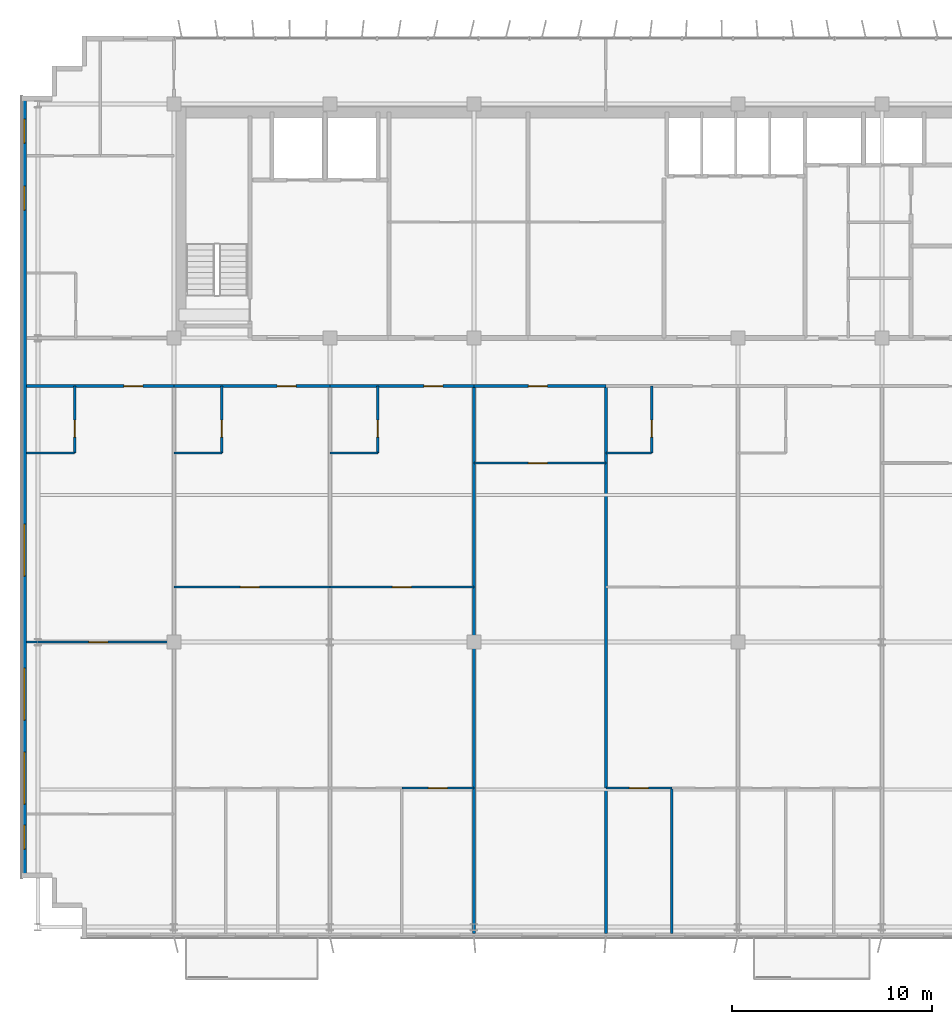
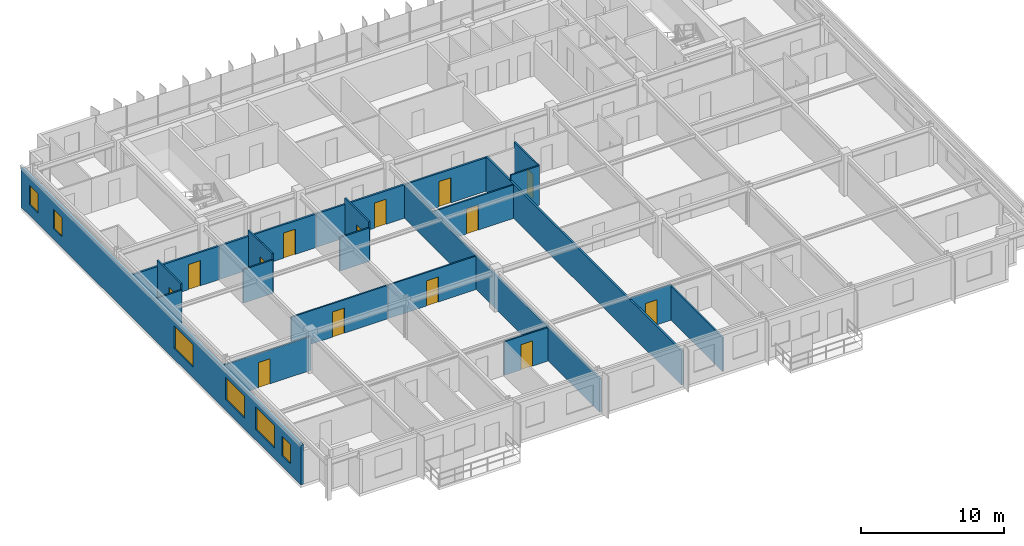
# One storey, part 17 of 23: 22 walls, 14 doors, 6 windows, 20 openings.
"""IFC4 building model written with IfcOpenShell, lengths in metres."""

from ifc_helpers import new_model, si_unit, direction, frame, frame_2d, origin, place, context, subcontext, project, spatial, rectangle, extrude, source, transform, mapped, material, layer, layer_set, type_object, element, fill, save


model = new_model("IFC4")

# Units and contexts
model_context = context("Model", 3, precision=1e-05, world=origin(), true_north=direction((0.0, 1.0)))
body_context = subcontext(model_context, "Body", "Model", "MODEL_VIEW")
ifc_project = project(units=[si_unit("LENGTHUNIT", "METRE"), si_unit("AREAUNIT", "SQUARE_METRE"), si_unit("VOLUMEUNIT", "CUBIC_METRE"), si_unit("PLANEANGLEUNIT", "RADIAN"), si_unit("MASSUNIT", "GRAM", prefix="KILO")], contexts=[model_context])

# Site, building, storey
site_placement = place(None, origin())
site = spatial("IfcSite", under=ifc_project, at=site_placement, CompositionType="ELEMENT")
building_placement = place(site_placement, origin())
building = spatial("IfcBuilding", under=site, at=building_placement, Name="Trelvane Seafront Commons", CompositionType="ELEMENT")
storey_placement = place(building_placement, frame((0.0, 0.0, 222.89990234375)))
storey = spatial("IfcBuildingStorey", under=building, at=storey_placement, Name="L58", CompositionType="ELEMENT", Elevation=222.89990234375)

# Wall, openings, windows
ifc_material_1 = material(Name="Precast concrete C40/50", Category="concrete")
ifc_layer_1 = layer(ifc_material_1, 0.239990234375, Name="ARCH-WALL-EXT240")
ifc_layer_set_1 = layer_set([ifc_layer_1], Name="Precast concrete C40/50")
wall_type_1 = type_object("IfcWallType", Name="ARCH-WALL-EXT240", PredefinedType="SOLIDWALL", material=ifc_layer_set_1)
wall_1_placement = place(storey_placement, frame((8.1201171875, 6.39990234375, 0.0), z_axis=(0.0, 0.0, 1.0), x_axis=(0.0, 1.0, 0.0)))
wall_1 = element("IfcWall", 1, at=wall_1_placement, inside=storey, type_object=wall_type_1, Name="EW-L58-01167", PredefinedType="SOLIDWALL", context=body_context, shape_type="SweptSolid", body=[
    extrude(rectangle(XDim=39.10009765625, YDim=0.239990234375, at=frame_2d((19.550048828125, 0.0))), origin(), (0.0, 0.0, 1.0), 3.360107421875),
])
opening_1_placement = place(wall_1_placement, frame((1.449951171875, 0.0, 0.919921875)))
opening_1 = element("IfcOpeningElement", 2, at=opening_1_placement, cuts=wall_1, Name="Opening W05", PredefinedType="OPENING", context=body_context, shape_type="SweptSolid", body=[
    extrude(rectangle(XDim=1.199951171875, YDim=1.64990234375, at=frame_2d((0.60009765625, 0.824951171875))), frame((0.0, 0.1298828125, 0.0), z_axis=(0.0, -1.0, 0.0), x_axis=(1.0, 0.0, 0.0)), (0.0, 0.0, 1.0), 0.260009765625),
])
opening_2_placement = place(wall_1_placement, frame((3.699951171875, 0.0, 0.919921875)))
opening_2 = element("IfcOpeningElement", 3, at=opening_2_placement, cuts=wall_1, Name="Opening W04", PredefinedType="OPENING", context=body_context, shape_type="SweptSolid", body=[
    extrude(rectangle(XDim=2.60009765625, YDim=1.89990234375, at=frame_2d((1.300048828125, 0.949951171875))), frame((0.0, 0.1298828125, 0.0), z_axis=(0.0, -1.0, 0.0), x_axis=(1.0, 0.0, 0.0)), (0.0, 0.0, 1.0), 0.260009765625),
])
opening_3_placement = place(wall_1_placement, frame((7.89990234375, 0.0, 0.919921875)))
opening_3 = element("IfcOpeningElement", 4, at=opening_3_placement, cuts=wall_1, Name="Opening W04", PredefinedType="OPENING", context=body_context, shape_type="SweptSolid", body=[
    extrude(rectangle(XDim=2.60009765625, YDim=1.89990234375, at=frame_2d((1.300048828125, 0.949951171875))), frame((0.0, 0.1298828125, 0.0), z_axis=(0.0, -1.0, 0.0), x_axis=(1.0, 0.0, 0.0)), (0.0, 0.0, 1.0), 0.260009765625),
])
opening_4_placement = place(wall_1_placement, frame((15.10009765625, 0.0, 0.919921875)))
opening_4 = element("IfcOpeningElement", 5, at=opening_4_placement, cuts=wall_1, Name="Opening W04", PredefinedType="OPENING", context=body_context, shape_type="SweptSolid", body=[
    extrude(rectangle(XDim=2.60009765625, YDim=1.89990234375, at=frame_2d((1.300048828125, 0.949951171875))), frame((0.0, 0.1298828125, 0.0), z_axis=(0.0, -1.0, 0.0), x_axis=(1.0, 0.0, 0.0)), (0.0, 0.0, 1.0), 0.260009765625),
])
opening_5_placement = place(wall_1_placement, frame((33.39990234375, 0.0, 0.919921875)))
opening_5 = element("IfcOpeningElement", 6, at=opening_5_placement, cuts=wall_1, Name="Opening W05", PredefinedType="OPENING", context=body_context, shape_type="SweptSolid", body=[
    extrude(rectangle(XDim=1.199951171875, YDim=1.64990234375, at=frame_2d((0.60009765625, 0.824951171875))), frame((0.0, 0.1298828125, 0.0), z_axis=(0.0, -1.0, 0.0), x_axis=(1.0, 0.0, 0.0)), (0.0, 0.0, 1.0), 0.260009765625),
])
opening_6_placement = place(wall_1_placement, frame((36.75, 0.0, 0.919921875)))
opening_6 = element("IfcOpeningElement", 7, at=opening_6_placement, cuts=wall_1, Name="Opening W05", PredefinedType="OPENING", context=body_context, shape_type="SweptSolid", body=[
    extrude(rectangle(XDim=1.199951171875, YDim=1.64990234375, at=frame_2d((0.60009765625, 0.824951171875))), frame((0.0, 0.1298828125, 0.0), z_axis=(0.0, -1.0, 0.0), x_axis=(1.0, 0.0, 0.0)), (0.0, 0.0, 1.0), 0.260009765625),
])
ifc_material_2 = material(Name="Low-E coastal double glazing", Category="glass")
window_type_1 = type_object("IfcWindowType", Name="ARCH-WIN-W04", PartitioningType="SINGLE_PANEL", PredefinedType="WINDOW", material=ifc_material_2)
shared_shape_1 = source(origin(), body_context, "Body", "SweptSolid", [
    extrude(rectangle(XDim=2.60009765625, YDim=1.89990234375, at=frame_2d((1.300048828125, 0.949951171875))), frame((0.0, 0.030029296875, 0.0), z_axis=(0.0, -1.0, 0.0), x_axis=(1.0, 0.0, 0.0)), (0.0, 0.0, 1.0), 0.06005859375),
])
window_1_placement = place(opening_2_placement, origin())
window_1 = element("IfcWindow", 8, at=window_1_placement, inside=storey, type_object=window_type_1, Name="WIN-L58-EW-01412", OverallHeight=1.89990234375, OverallWidth=2.60009765625, PartitioningType="SINGLE_PANEL", PredefinedType="WINDOW", context=body_context, shape_type="MappedRepresentation", body=[
    mapped(shared_shape_1, transform((0.0, 0.0, 0.0), x_axis=(1.0, 0.0, 0.0), y_axis=(0.0, 1.0, 0.0), z_axis=(0.0, 0.0, 1.0), scale=1.0)),
])
fill(opening_2, window_1)
window_2_placement = place(opening_3_placement, origin())
window_2 = element("IfcWindow", 9, at=window_2_placement, inside=storey, type_object=window_type_1, Name="WIN-L58-EW-01413", OverallHeight=1.89990234375, OverallWidth=2.60009765625, PartitioningType="SINGLE_PANEL", PredefinedType="WINDOW", context=body_context, shape_type="MappedRepresentation", body=[
    mapped(shared_shape_1, transform((0.0, 0.0, 0.0), x_axis=(1.0, 0.0, 0.0), y_axis=(0.0, 1.0, 0.0), z_axis=(0.0, 0.0, 1.0), scale=1.0)),
])
fill(opening_3, window_2)
window_3_placement = place(opening_4_placement, origin())
window_3 = element("IfcWindow", 10, at=window_3_placement, inside=storey, type_object=window_type_1, Name="WIN-L58-EW-01414", OverallHeight=1.89990234375, OverallWidth=2.60009765625, PartitioningType="SINGLE_PANEL", PredefinedType="WINDOW", context=body_context, shape_type="MappedRepresentation", body=[
    mapped(shared_shape_1, transform((0.0, 0.0, 0.0), x_axis=(1.0, 0.0, 0.0), y_axis=(0.0, 1.0, 0.0), z_axis=(0.0, 0.0, 1.0), scale=1.0)),
])
fill(opening_4, window_3)
window_type_2 = type_object("IfcWindowType", Name="ARCH-WIN-W05", PartitioningType="SINGLE_PANEL", PredefinedType="WINDOW", material=ifc_material_2)
shared_shape_2 = source(origin(), body_context, "Body", "SweptSolid", [
    extrude(rectangle(XDim=1.199951171875, YDim=1.64990234375, at=frame_2d((0.60009765625, 0.824951171875))), frame((0.0, 0.030029296875, 0.0), z_axis=(0.0, -1.0, 0.0), x_axis=(1.0, 0.0, 0.0)), (0.0, 0.0, 1.0), 0.06005859375),
])
window_4_placement = place(opening_1_placement, origin())
window_4 = element("IfcWindow", 11, at=window_4_placement, inside=storey, type_object=window_type_2, Name="WIN-L58-EW-01411", OverallHeight=1.64990234375, OverallWidth=1.199951171875, PartitioningType="SINGLE_PANEL", PredefinedType="WINDOW", context=body_context, shape_type="MappedRepresentation", body=[
    mapped(shared_shape_2, transform((0.0, 0.0, 0.0), x_axis=(1.0, 0.0, 0.0), y_axis=(0.0, 1.0, 0.0), z_axis=(0.0, 0.0, 1.0), scale=1.0)),
])
fill(opening_1, window_4)
window_5_placement = place(opening_5_placement, origin())
window_5 = element("IfcWindow", 12, at=window_5_placement, inside=storey, type_object=window_type_2, Name="WIN-L58-EW-01415", OverallHeight=1.64990234375, OverallWidth=1.199951171875, PartitioningType="SINGLE_PANEL", PredefinedType="WINDOW", context=body_context, shape_type="MappedRepresentation", body=[
    mapped(shared_shape_2, transform((0.0, 0.0, 0.0), x_axis=(1.0, 0.0, 0.0), y_axis=(0.0, 1.0, 0.0), z_axis=(0.0, 0.0, 1.0), scale=1.0)),
])
fill(opening_5, window_5)
window_6_placement = place(opening_6_placement, origin())
window_6 = element("IfcWindow", 13, at=window_6_placement, inside=storey, type_object=window_type_2, Name="WIN-L58-EW-01416", OverallHeight=1.64990234375, OverallWidth=1.199951171875, PartitioningType="SINGLE_PANEL", PredefinedType="WINDOW", context=body_context, shape_type="MappedRepresentation", body=[
    mapped(shared_shape_2, transform((0.0, 0.0, 0.0), x_axis=(1.0, 0.0, 0.0), y_axis=(0.0, 1.0, 0.0), z_axis=(0.0, 0.0, 1.0), scale=1.0)),
])
fill(opening_6, window_6)

# Wall, opening, door
ifc_material_3 = material(Name="Gypsum Drywall Acoustic Partition")
ifc_layer_2 = layer(ifc_material_3, 0.1201171875, Name="ARCH-WALL-PART120")
ifc_layer_set_2 = layer_set([ifc_layer_2], Name="Gypsum Drywall Acoustic Partition")
wall_type_2 = type_object("IfcWallType", Name="ARCH-WALL-PART120", PredefinedType="PARTITIONING", material=ifc_layer_set_2)
wall_2_placement = place(storey_placement, frame((8.239990234375, 18.199951171875, 0.0), z_axis=(0.0, 0.0, 1.0), x_axis=(1.0, 0.0, 0.0)))
wall_2 = element("IfcWall", 14, at=wall_2_placement, inside=storey, type_object=wall_type_2, Name="W-L58-U1-KL-058", PredefinedType="PARTITIONING", context=body_context, shape_type="SweptSolid", body=[
    extrude(rectangle(XDim=7.360107421875, YDim=0.1201171875, at=frame_2d((3.68017578125, 0.0))), origin(), (0.0, 0.0, 1.0), 2.91015625),
])
opening_7_placement = place(wall_2_placement, frame((3.114013671875, 0.0, 0.0)))
opening_7 = element("IfcOpeningElement", 15, at=opening_7_placement, cuts=wall_2, Name="Opening D-L58-34", PredefinedType="OPENING", context=body_context, shape_type="SweptSolid", body=[
    extrude(rectangle(XDim=0.949951171875, YDim=2.14990234375, at=frame_2d((0.47509765625, 1.074951171875))), frame((0.0, 0.070068359375, 0.0), z_axis=(0.0, -1.0, 0.0), x_axis=(1.0, 0.0, 0.0)), (0.0, 0.0, 1.0), 0.14013671875),
])
ifc_material_4 = material(Name="Acoustic timber door leaf", Category="wood")
door_type_1 = type_object("IfcDoorType", Name="ARCH-DR-INT950", OperationType="NOTDEFINED", PredefinedType="DOOR", material=ifc_material_4)
shared_shape_3 = source(origin(), body_context, "Body", "SweptSolid", [
    extrude(rectangle(XDim=0.949951171875, YDim=2.14990234375, at=frame_2d((0.47509765625, 1.074951171875))), frame((0.0, 0.02490234375, 0.0), z_axis=(0.0, -1.0, 0.0), x_axis=(1.0, 0.0, 0.0)), (0.0, 0.0, 1.0), 0.050048828125),
])
door_1_placement = place(opening_7_placement, origin())
door_1 = element("IfcDoor", 16, at=door_1_placement, inside=storey, type_object=door_type_1, Name="L58 Door 34", OperationType="SINGLE_SWING_RIGHT", OverallHeight=2.14990234375, OverallWidth=0.949951171875, PredefinedType="DOOR", context=body_context, shape_type="MappedRepresentation", body=[
    mapped(shared_shape_3, transform((0.0, 0.0, 0.0), x_axis=(1.0, 0.0, 0.0), y_axis=(0.0, 1.0, 0.0), z_axis=(0.0, 0.0, 1.0), scale=1.0)),
])
fill(opening_7, door_1)

wall_3_placement = place(storey_placement, frame((10.639892578125, 27.64990234375, 0.0), z_axis=(0.0, 0.0, 1.0), x_axis=(0.0, 1.0, 0.0)))
wall_3 = element("IfcWall", 17, at=wall_3_placement, inside=storey, type_object=wall_type_2, Name="W-L58-U1-BE-059", PredefinedType="PARTITIONING", context=body_context, shape_type="SweptSolid", body=[
    extrude(rectangle(XDim=3.35009765625, YDim=0.1201171875, at=frame_2d((1.675048828125, 0.0))), origin(), (0.0, 0.0, 1.0), 3.360107421875),
])
opening_8_placement = place(wall_3_placement, frame((0.800048828125, 0.0, 0.0)))
opening_8 = element("IfcOpeningElement", 18, at=opening_8_placement, cuts=wall_3, Name="Opening D-L58-35", PredefinedType="OPENING", context=body_context, shape_type="SweptSolid", body=[
    extrude(rectangle(XDim=0.85009765625, YDim=2.10009765625, at=frame_2d((0.425048828125, 1.050048828125))), frame((0.0, 0.070068359375, 0.0), z_axis=(0.0, -1.0, 0.0), x_axis=(1.0, 0.0, 0.0)), (0.0, 0.0, 1.0), 0.14013671875),
])
door_type_2 = type_object("IfcDoorType", Name="ARCH-DR-INT850", OperationType="NOTDEFINED", PredefinedType="DOOR", material=ifc_material_4)
shared_shape_4 = source(origin(), body_context, "Body", "SweptSolid", [
    extrude(rectangle(XDim=0.85009765625, YDim=2.10009765625, at=frame_2d((0.425048828125, 1.050048828125))), frame((0.0, 0.02490234375, 0.0), z_axis=(0.0, -1.0, 0.0), x_axis=(1.0, 0.0, 0.0)), (0.0, 0.0, 1.0), 0.050048828125),
])
door_2_placement = place(opening_8_placement, origin())
door_2 = element("IfcDoor", 19, at=door_2_placement, inside=storey, type_object=door_type_2, Name="L58 Door 35", OperationType="SINGLE_SWING_LEFT", OverallHeight=2.10009765625, OverallWidth=0.85009765625, PredefinedType="DOOR", context=body_context, shape_type="MappedRepresentation", body=[
    mapped(shared_shape_4, transform((0.0, 0.0, 0.0), x_axis=(1.0, 0.0, 0.0), y_axis=(0.0, 1.0, 0.0), z_axis=(0.0, 0.0, 1.0), scale=1.0)),
])
fill(opening_8, door_2)

# Wall
wall_4_placement = place(storey_placement, frame((8.239990234375, 27.64990234375, 0.0), z_axis=(0.0, 0.0, 1.0), x_axis=(1.0, 0.0, 0.0)))
element("IfcWall", 20, at=wall_4_placement, inside=storey, type_object=wall_type_2, Name="W-L58-U1-BS-060", PredefinedType="PARTITIONING", context=body_context, shape_type="SweptSolid", body=[
    extrude(rectangle(XDim=2.39990234375, YDim=0.1201171875, at=frame_2d((1.199951171875, 0.0))), origin(), (0.0, 0.0, 1.0), 2.860107421875),
])

# Wall, opening, door
wall_5_placement = place(storey_placement, frame((15.60009765625, 20.949951171875, 0.0), z_axis=(0.0, 0.0, 1.0), x_axis=(1.0, 0.0, 0.0)))
wall_5 = element("IfcWall", 21, at=wall_5_placement, inside=storey, type_object=wall_type_2, Name="W-L58-U2-KL-063", PredefinedType="PARTITIONING", context=body_context, shape_type="SweptSolid", body=[
    extrude(rectangle(XDim=7.7998046875, YDim=0.1201171875, at=frame_2d((3.89990234375, 0.0))), origin(), (0.0, 0.0, 1.0), 2.860107421875),
])
opening_9_placement = place(wall_5_placement, frame((3.3330078125, 0.0, 0.0)))
opening_9 = element("IfcOpeningElement", 22, at=opening_9_placement, cuts=wall_5, Name="Opening D-L58-38", PredefinedType="OPENING", context=body_context, shape_type="SweptSolid", body=[
    extrude(rectangle(XDim=0.949951171875, YDim=2.14990234375, at=frame_2d((0.47509765625, 1.074951171875))), frame((0.0, 0.070068359375, 0.0), z_axis=(0.0, -1.0, 0.0), x_axis=(1.0, 0.0, 0.0)), (0.0, 0.0, 1.0), 0.14013671875),
])
door_3_placement = place(opening_9_placement, origin())
door_3 = element("IfcDoor", 23, at=door_3_placement, inside=storey, type_object=door_type_1, Name="L58 Door 38", OperationType="SINGLE_SWING_RIGHT", OverallHeight=2.14990234375, OverallWidth=0.949951171875, PredefinedType="DOOR", context=body_context, shape_type="MappedRepresentation", body=[
    mapped(shared_shape_3, transform((0.0, 0.0, 0.0), x_axis=(1.0, 0.0, 0.0), y_axis=(0.0, 1.0, 0.0), z_axis=(0.0, 0.0, 1.0), scale=1.0)),
])
fill(opening_9, door_3)

wall_6_placement = place(storey_placement, frame((18.0, 27.64990234375, 0.0), z_axis=(0.0, 0.0, 1.0), x_axis=(0.0, 1.0, 0.0)))
wall_6 = element("IfcWall", 24, at=wall_6_placement, inside=storey, type_object=wall_type_2, Name="W-L58-U2-BE-064", PredefinedType="PARTITIONING", context=body_context, shape_type="SweptSolid", body=[
    extrude(rectangle(XDim=3.35009765625, YDim=0.1201171875, at=frame_2d((1.675048828125, 0.0))), origin(), (0.0, 0.0, 1.0), 3.360107421875),
])
opening_10_placement = place(wall_6_placement, frame((0.800048828125, 0.0, 0.0)))
opening_10 = element("IfcOpeningElement", 25, at=opening_10_placement, cuts=wall_6, Name="Opening D-L58-39", PredefinedType="OPENING", context=body_context, shape_type="SweptSolid", body=[
    extrude(rectangle(XDim=0.85009765625, YDim=2.10009765625, at=frame_2d((0.425048828125, 1.050048828125))), frame((0.0, 0.070068359375, 0.0), z_axis=(0.0, -1.0, 0.0), x_axis=(1.0, 0.0, 0.0)), (0.0, 0.0, 1.0), 0.14013671875),
])
door_4_placement = place(opening_10_placement, origin())
door_4 = element("IfcDoor", 26, at=door_4_placement, inside=storey, type_object=door_type_2, Name="L58 Door 39", OperationType="SINGLE_SWING_LEFT", OverallHeight=2.10009765625, OverallWidth=0.85009765625, PredefinedType="DOOR", context=body_context, shape_type="MappedRepresentation", body=[
    mapped(shared_shape_4, transform((0.0, 0.0, 0.0), x_axis=(1.0, 0.0, 0.0), y_axis=(0.0, 1.0, 0.0), z_axis=(0.0, 0.0, 1.0), scale=1.0)),
])
fill(opening_10, door_4)

# Wall
wall_7_placement = place(storey_placement, frame((15.60009765625, 27.64990234375, 0.0), z_axis=(0.0, 0.0, 1.0), x_axis=(1.0, 0.0, 0.0)))
element("IfcWall", 27, at=wall_7_placement, inside=storey, type_object=wall_type_2, Name="W-L58-U2-BS-065", PredefinedType="PARTITIONING", context=body_context, shape_type="SweptSolid", body=[
    extrude(rectangle(XDim=2.39990234375, YDim=0.1201171875, at=frame_2d((1.199951171875, 0.0))), origin(), (0.0, 0.0, 1.0), 2.860107421875),
])

# Wall, opening, door
wall_8_placement = place(storey_placement, frame((23.39990234375, 20.949951171875, 0.0), z_axis=(0.0, 0.0, 1.0), x_axis=(1.0, 0.0, 0.0)))
wall_8 = element("IfcWall", 28, at=wall_8_placement, inside=storey, type_object=wall_type_2, Name="W-L58-U3-KL-072", PredefinedType="PARTITIONING", context=body_context, shape_type="SweptSolid", body=[
    extrude(rectangle(XDim=7.2001953125, YDim=0.1201171875, at=frame_2d((3.60009765625, 0.0))), origin(), (0.0, 0.0, 1.0), 2.860107421875),
])
opening_11_placement = place(wall_8_placement, frame((3.125, 0.0, 0.0)))
opening_11 = element("IfcOpeningElement", 29, at=opening_11_placement, cuts=wall_8, Name="Opening D-L58-44", PredefinedType="OPENING", context=body_context, shape_type="SweptSolid", body=[
    extrude(rectangle(XDim=0.949951171875, YDim=2.14990234375, at=frame_2d((0.47509765625, 1.074951171875))), frame((0.0, 0.070068359375, 0.0), z_axis=(0.0, -1.0, 0.0), x_axis=(1.0, 0.0, 0.0)), (0.0, 0.0, 1.0), 0.14013671875),
])
door_5_placement = place(opening_11_placement, origin())
door_5 = element("IfcDoor", 30, at=door_5_placement, inside=storey, type_object=door_type_1, Name="L58 Door 44", OperationType="SINGLE_SWING_RIGHT", OverallHeight=2.14990234375, OverallWidth=0.949951171875, PredefinedType="DOOR", context=body_context, shape_type="MappedRepresentation", body=[
    mapped(shared_shape_3, transform((0.0, 0.0, 0.0), x_axis=(1.0, 0.0, 0.0), y_axis=(0.0, 1.0, 0.0), z_axis=(0.0, 0.0, 1.0), scale=1.0)),
])
fill(opening_11, door_5)

wall_9_placement = place(storey_placement, frame((25.800048828125, 27.64990234375, 0.0), z_axis=(0.0, 0.0, 1.0), x_axis=(0.0, 1.0, 0.0)))
wall_9 = element("IfcWall", 31, at=wall_9_placement, inside=storey, type_object=wall_type_2, Name="W-L58-U3-BE-073", PredefinedType="PARTITIONING", context=body_context, shape_type="SweptSolid", body=[
    extrude(rectangle(XDim=3.35009765625, YDim=0.1201171875, at=frame_2d((1.675048828125, 0.0))), origin(), (0.0, 0.0, 1.0), 3.360107421875),
])
opening_12_placement = place(wall_9_placement, frame((0.800048828125, 0.0, 0.0)))
opening_12 = element("IfcOpeningElement", 32, at=opening_12_placement, cuts=wall_9, Name="Opening D-L58-45", PredefinedType="OPENING", context=body_context, shape_type="SweptSolid", body=[
    extrude(rectangle(XDim=0.85009765625, YDim=2.10009765625, at=frame_2d((0.425048828125, 1.050048828125))), frame((0.0, 0.070068359375, 0.0), z_axis=(0.0, -1.0, 0.0), x_axis=(1.0, 0.0, 0.0)), (0.0, 0.0, 1.0), 0.14013671875),
])
door_6_placement = place(opening_12_placement, origin())
door_6 = element("IfcDoor", 33, at=door_6_placement, inside=storey, type_object=door_type_2, Name="L58 Door 45", OperationType="SINGLE_SWING_LEFT", OverallHeight=2.10009765625, OverallWidth=0.85009765625, PredefinedType="DOOR", context=body_context, shape_type="MappedRepresentation", body=[
    mapped(shared_shape_4, transform((0.0, 0.0, 0.0), x_axis=(1.0, 0.0, 0.0), y_axis=(0.0, 1.0, 0.0), z_axis=(0.0, 0.0, 1.0), scale=1.0)),
])
fill(opening_12, door_6)

# Wall
wall_10_placement = place(storey_placement, frame((23.39990234375, 27.64990234375, 0.0), z_axis=(0.0, 0.0, 1.0), x_axis=(1.0, 0.0, 0.0)))
element("IfcWall", 34, at=wall_10_placement, inside=storey, type_object=wall_type_2, Name="W-L58-U3-BS-074", PredefinedType="PARTITIONING", context=body_context, shape_type="SweptSolid", body=[
    extrude(rectangle(XDim=2.400146484375, YDim=0.1201171875, at=frame_2d((1.2001953125, 0.0))), origin(), (0.0, 0.0, 1.0), 2.860107421875),
])

# Wall, opening, door
wall_11_placement = place(storey_placement, frame((27.0, 10.89990234375, 0.0), z_axis=(0.0, 0.0, 1.0), x_axis=(1.0, 0.0, 0.0)))
wall_11 = element("IfcWall", 35, at=wall_11_placement, inside=storey, type_object=wall_type_2, Name="W-L58-U3-YM-2-077", PredefinedType="PARTITIONING", context=body_context, shape_type="SweptSolid", body=[
    extrude(rectangle(XDim=3.60009765625, YDim=0.1201171875, at=frame_2d((1.800048828125, 0.0))), origin(), (0.0, 0.0, 1.0), 2.860107421875),
])
opening_13_placement = place(wall_11_placement, frame((1.324951171875, 0.0, 0.0)))
opening_13 = element("IfcOpeningElement", 36, at=opening_13_placement, cuts=wall_11, Name="Opening D-L58-48", PredefinedType="OPENING", context=body_context, shape_type="SweptSolid", body=[
    extrude(rectangle(XDim=0.949951171875, YDim=2.14990234375, at=frame_2d((0.47509765625, 1.074951171875))), frame((0.0, 0.070068359375, 0.0), z_axis=(0.0, -1.0, 0.0), x_axis=(1.0, 0.0, 0.0)), (0.0, 0.0, 1.0), 0.14013671875),
])
door_7_placement = place(opening_13_placement, origin())
door_7 = element("IfcDoor", 37, at=door_7_placement, inside=storey, type_object=door_type_1, Name="L58 Door 48", OperationType="SINGLE_SWING_RIGHT", OverallHeight=2.14990234375, OverallWidth=0.949951171875, PredefinedType="DOOR", context=body_context, shape_type="MappedRepresentation", body=[
    mapped(shared_shape_3, transform((0.0, 0.0, 0.0), x_axis=(1.0, 0.0, 0.0), y_axis=(0.0, 1.0, 0.0), z_axis=(0.0, 0.0, 1.0), scale=1.0)),
])
fill(opening_13, door_7)

wall_12_placement = place(storey_placement, frame((30.60009765625, 27.14990234375, 0.0), z_axis=(0.0, 0.0, 1.0), x_axis=(1.0, 0.0, 0.0)))
wall_12 = element("IfcWall", 38, at=wall_12_placement, inside=storey, type_object=wall_type_2, Name="W-L58-U4-DIV-080", PredefinedType="PARTITIONING", context=body_context, shape_type="SweptSolid", body=[
    extrude(rectangle(XDim=6.599853515625, YDim=0.1201171875, at=frame_2d((3.2998046875, 0.0))), origin(), (0.0, 0.0, 1.0), 2.860107421875),
])
opening_14_placement = place(wall_12_placement, frame((2.73388671875, 0.0, 0.0)))
opening_14 = element("IfcOpeningElement", 39, at=opening_14_placement, cuts=wall_12, Name="Opening D-L58-50", PredefinedType="OPENING", context=body_context, shape_type="SweptSolid", body=[
    extrude(rectangle(XDim=0.949951171875, YDim=2.14990234375, at=frame_2d((0.47509765625, 1.074951171875))), frame((0.0, 0.070068359375, 0.0), z_axis=(0.0, -1.0, 0.0), x_axis=(1.0, 0.0, 0.0)), (0.0, 0.0, 1.0), 0.14013671875),
])
door_8_placement = place(opening_14_placement, origin())
door_8 = element("IfcDoor", 40, at=door_8_placement, inside=storey, type_object=door_type_1, Name="L58 Door 50", OperationType="SINGLE_SWING_RIGHT", OverallHeight=2.14990234375, OverallWidth=0.949951171875, PredefinedType="DOOR", context=body_context, shape_type="MappedRepresentation", body=[
    mapped(shared_shape_3, transform((0.0, 0.0, 0.0), x_axis=(1.0, 0.0, 0.0), y_axis=(0.0, 1.0, 0.0), z_axis=(0.0, 0.0, 1.0), scale=1.0)),
])
fill(opening_14, door_8)

wall_13_placement = place(storey_placement, frame((39.493896484375, 27.64990234375, 0.0), z_axis=(0.0, 0.0, 1.0), x_axis=(0.0, 1.0, 0.0)))
wall_13 = element("IfcWall", 41, at=wall_13_placement, inside=storey, type_object=wall_type_2, Name="W-L58-U5-BE-082", PredefinedType="PARTITIONING", context=body_context, shape_type="SweptSolid", body=[
    extrude(rectangle(XDim=3.35009765625, YDim=0.1201171875, at=frame_2d((1.675048828125, 0.0))), origin(), (0.0, 0.0, 1.0), 3.360107421875),
])
opening_15_placement = place(wall_13_placement, frame((0.800048828125, 0.0, 0.0)))
opening_15 = element("IfcOpeningElement", 42, at=opening_15_placement, cuts=wall_13, Name="Opening D-L58-52", PredefinedType="OPENING", context=body_context, shape_type="SweptSolid", body=[
    extrude(rectangle(XDim=0.85009765625, YDim=2.10009765625, at=frame_2d((0.425048828125, 1.050048828125))), frame((0.0, 0.070068359375, 0.0), z_axis=(0.0, -1.0, 0.0), x_axis=(1.0, 0.0, 0.0)), (0.0, 0.0, 1.0), 0.14013671875),
])
door_9_placement = place(opening_15_placement, origin())
door_9 = element("IfcDoor", 43, at=door_9_placement, inside=storey, type_object=door_type_2, Name="L58 Door 52", OperationType="SINGLE_SWING_RIGHT", OverallHeight=2.10009765625, OverallWidth=0.85009765625, PredefinedType="DOOR", context=body_context, shape_type="MappedRepresentation", body=[
    mapped(shared_shape_4, transform((0.0, 0.0, 0.0), x_axis=(1.0, 0.0, 0.0), y_axis=(0.0, 1.0, 0.0), z_axis=(0.0, 0.0, 1.0), scale=1.0)),
])
fill(opening_15, door_9)

# Wall
wall_14_placement = place(storey_placement, frame((37.199951171875, 27.64990234375, 0.0), z_axis=(0.0, 0.0, 1.0), x_axis=(1.0, 0.0, 0.0)))
element("IfcWall", 44, at=wall_14_placement, inside=storey, type_object=wall_type_2, Name="W-L58-U5-BS-083", PredefinedType="PARTITIONING", context=body_context, shape_type="SweptSolid", body=[
    extrude(rectangle(XDim=2.2939453125, YDim=0.1201171875, at=frame_2d((1.14697265625, 0.0))), origin(), (0.0, 0.0, 1.0), 3.360107421875),
])

# Wall, opening, door
wall_15_placement = place(storey_placement, frame((37.199951171875, 10.89990234375, 0.0), z_axis=(0.0, 0.0, 1.0), x_axis=(1.0, 0.0, 0.0)))
wall_15 = element("IfcWall", 45, at=wall_15_placement, inside=storey, type_object=wall_type_2, Name="W-L58-U5-YM-1-085", PredefinedType="PARTITIONING", context=body_context, shape_type="SweptSolid", body=[
    extrude(rectangle(XDim=3.300048828125, YDim=0.1201171875, at=frame_2d((1.64990234375, 0.0))), origin(), (0.0, 0.0, 1.0), 3.06005859375),
])
opening_16_placement = place(wall_15_placement, frame((1.175048828125, 0.0, 0.0)))
opening_16 = element("IfcOpeningElement", 46, at=opening_16_placement, cuts=wall_15, Name="Opening D-L58-54", PredefinedType="OPENING", context=body_context, shape_type="SweptSolid", body=[
    extrude(rectangle(XDim=0.949951171875, YDim=2.14990234375, at=frame_2d((0.47509765625, 1.074951171875))), frame((0.0, 0.070068359375, 0.0), z_axis=(0.0, -1.0, 0.0), x_axis=(1.0, 0.0, 0.0)), (0.0, 0.0, 1.0), 0.14013671875),
])
door_10_placement = place(opening_16_placement, origin())
door_10 = element("IfcDoor", 47, at=door_10_placement, inside=storey, type_object=door_type_1, Name="L58 Door 54", OperationType="SINGLE_SWING_RIGHT", OverallHeight=2.14990234375, OverallWidth=0.949951171875, PredefinedType="DOOR", context=body_context, shape_type="MappedRepresentation", body=[
    mapped(shared_shape_3, transform((0.0, 0.0, 0.0), x_axis=(1.0, 0.0, 0.0), y_axis=(0.0, 1.0, 0.0), z_axis=(0.0, 0.0, 1.0), scale=1.0)),
])
fill(opening_16, door_10)

# Walls
wall_16_placement = place(storey_placement, frame((40.5, 3.625, 0.0), z_axis=(0.0, 0.0, 1.0), x_axis=(0.0, 1.0, 0.0)))
element("IfcWall", 48, at=wall_16_placement, inside=storey, type_object=wall_type_2, Name="W-L58-U5-BDV-1-087", PredefinedType="PARTITIONING", context=body_context, shape_type="SweptSolid", body=[
    extrude(rectangle(XDim=7.27490234375, YDim=0.1201171875, at=frame_2d((3.637451171875, 0.0))), origin(), (0.0, 0.0, 1.0), 2.91015625),
])
ifc_layer_3 = layer(ifc_material_3, 0.14990234375, Name="ARCH-WALL-PART150")
ifc_layer_set_3 = layer_set([ifc_layer_3], Name="Gypsum Drywall Acoustic Partition")
wall_type_3 = type_object("IfcWallType", Name="ARCH-WALL-PART150", PredefinedType="PARTITIONING", material=ifc_layer_set_3)
wall_17_placement = place(storey_placement, frame((30.60009765625, 3.625, 0.0), z_axis=(0.0, 0.0, 1.0), x_axis=(0.0, 1.0, 0.0)))
element("IfcWall", 49, at=wall_17_placement, inside=storey, type_object=wall_type_3, Name="W-L58-PW-3-053", PredefinedType="PARTITIONING", context=body_context, shape_type="SweptSolid", body=[
    extrude(rectangle(XDim=27.375, YDim=0.14990234375, at=frame_2d((13.6875, 0.0))), origin(), (0.0, 0.0, 1.0), 2.860107421875),
])
wall_18_placement = place(storey_placement, frame((37.199951171875, 3.625, 0.0), z_axis=(0.0, 0.0, 1.0), x_axis=(0.0, 1.0, 0.0)))
element("IfcWall", 50, at=wall_18_placement, inside=storey, type_object=wall_type_3, Name="W-L58-PW-4-054", PredefinedType="PARTITIONING", context=body_context, shape_type="SweptSolid", body=[
    extrude(rectangle(XDim=27.375, YDim=0.14990234375, at=frame_2d((13.6875, 0.0))), origin(), (0.0, 0.0, 1.0), 2.91015625),
])

# Wall, opening, door
wall_19_placement = place(storey_placement, frame((8.22509765625, 31.0, 0.0), z_axis=(0.0, 0.0, 1.0), x_axis=(1.0, 0.0, 0.0)))
wall_19 = element("IfcWall", 51, at=wall_19_placement, inside=storey, type_object=wall_type_3, Name="W-L58-CS-BAY-1-061", PredefinedType="PARTITIONING", context=body_context, shape_type="SweptSolid", body=[
    extrude(rectangle(XDim=7.375, YDim=0.14990234375, at=frame_2d((3.6875, 0.0))), origin(), (0.0, 0.0, 1.0), 2.860107421875),
])
opening_17_placement = place(wall_19_placement, frame((4.876953125, 0.0, 0.0)))
opening_17 = element("IfcOpeningElement", 52, at=opening_17_placement, cuts=wall_19, Name="Opening FD-L58-36", PredefinedType="OPENING", context=body_context, shape_type="SweptSolid", body=[
    extrude(rectangle(XDim=0.949951171875, YDim=2.14990234375, at=frame_2d((0.47509765625, 1.074951171875))), frame((0.0, 0.0849609375, 0.0), z_axis=(0.0, -1.0, 0.0), x_axis=(1.0, 0.0, 0.0)), (0.0, 0.0, 1.0), 0.169921875),
])
ifc_material_5 = material(Name="Powder-coated aluminium frame", Category="aluminium")
door_type_3 = type_object("IfcDoorType", Name="ARCH-DR-FD60-950", OperationType="NOTDEFINED", PredefinedType="DOOR", material=ifc_material_5)
door_11_placement = place(opening_17_placement, origin())
door_11 = element("IfcDoor", 53, at=door_11_placement, inside=storey, type_object=door_type_3, Name="L58 Unit 01 Entrance Door", OperationType="SINGLE_SWING_RIGHT", OverallHeight=2.14990234375, OverallWidth=0.949951171875, PredefinedType="DOOR", context=body_context, shape_type="MappedRepresentation", body=[
    mapped(shared_shape_3, transform((0.0, 0.0, 0.0), x_axis=(1.0, 0.0, 0.0), y_axis=(0.0, 1.0, 0.0), z_axis=(0.0, 0.0, 1.0), scale=1.0)),
])
fill(opening_17, door_11)

wall_20_placement = place(storey_placement, frame((15.60009765625, 31.0, 0.0), z_axis=(0.0, 0.0, 1.0), x_axis=(1.0, 0.0, 0.0)))
wall_20 = element("IfcWall", 54, at=wall_20_placement, inside=storey, type_object=wall_type_3, Name="W-L58-CS-BAY-2-066", PredefinedType="PARTITIONING", context=body_context, shape_type="SweptSolid", body=[
    extrude(rectangle(XDim=7.7998046875, YDim=0.14990234375, at=frame_2d((3.89990234375, 0.0))), origin(), (0.0, 0.0, 1.0), 2.860107421875),
])
opening_18_placement = place(wall_20_placement, frame((5.172119140625, 0.0, 0.0)))
opening_18 = element("IfcOpeningElement", 55, at=opening_18_placement, cuts=wall_20, Name="Opening FD-L58-40", PredefinedType="OPENING", context=body_context, shape_type="SweptSolid", body=[
    extrude(rectangle(XDim=0.949951171875, YDim=2.14990234375, at=frame_2d((0.47509765625, 1.074951171875))), frame((0.0, 0.0849609375, 0.0), z_axis=(0.0, -1.0, 0.0), x_axis=(1.0, 0.0, 0.0)), (0.0, 0.0, 1.0), 0.169921875),
])
door_12_placement = place(opening_18_placement, origin())
door_12 = element("IfcDoor", 56, at=door_12_placement, inside=storey, type_object=door_type_3, Name="L58 Unit 02 Entrance Door", OperationType="SINGLE_SWING_RIGHT", OverallHeight=2.14990234375, OverallWidth=0.949951171875, PredefinedType="DOOR", context=body_context, shape_type="MappedRepresentation", body=[
    mapped(shared_shape_3, transform((0.0, 0.0, 0.0), x_axis=(1.0, 0.0, 0.0), y_axis=(0.0, 1.0, 0.0), z_axis=(0.0, 0.0, 1.0), scale=1.0)),
])
fill(opening_18, door_12)

wall_21_placement = place(storey_placement, frame((23.39990234375, 31.0, 0.0), z_axis=(0.0, 0.0, 1.0), x_axis=(1.0, 0.0, 0.0)))
wall_21 = element("IfcWall", 57, at=wall_21_placement, inside=storey, type_object=wall_type_3, Name="W-L58-CS-BAY-3-075", PredefinedType="PARTITIONING", context=body_context, shape_type="SweptSolid", body=[
    extrude(rectangle(XDim=7.2001953125, YDim=0.14990234375, at=frame_2d((3.60009765625, 0.0))), origin(), (0.0, 0.0, 1.0), 2.860107421875),
])
opening_19_placement = place(wall_21_placement, frame((4.7060546875, 0.0, 0.0)))
opening_19 = element("IfcOpeningElement", 58, at=opening_19_placement, cuts=wall_21, Name="Opening FD-L58-46", PredefinedType="OPENING", context=body_context, shape_type="SweptSolid", body=[
    extrude(rectangle(XDim=0.949951171875, YDim=2.14990234375, at=frame_2d((0.47509765625, 1.074951171875))), frame((0.0, 0.0849609375, 0.0), z_axis=(0.0, -1.0, 0.0), x_axis=(1.0, 0.0, 0.0)), (0.0, 0.0, 1.0), 0.169921875),
])
door_13_placement = place(opening_19_placement, origin())
door_13 = element("IfcDoor", 59, at=door_13_placement, inside=storey, type_object=door_type_3, Name="L58 Unit 03 Entrance Door", OperationType="SINGLE_SWING_RIGHT", OverallHeight=2.14990234375, OverallWidth=0.949951171875, PredefinedType="DOOR", context=body_context, shape_type="MappedRepresentation", body=[
    mapped(shared_shape_3, transform((0.0, 0.0, 0.0), x_axis=(1.0, 0.0, 0.0), y_axis=(0.0, 1.0, 0.0), z_axis=(0.0, 0.0, 1.0), scale=1.0)),
])
fill(opening_19, door_13)

wall_22_placement = place(storey_placement, frame((30.60009765625, 31.0, 0.0), z_axis=(0.0, 0.0, 1.0), x_axis=(1.0, 0.0, 0.0)))
wall_22 = element("IfcWall", 60, at=wall_22_placement, inside=storey, type_object=wall_type_3, Name="W-L58-CS-BAY-4-079", PredefinedType="PARTITIONING", context=body_context, shape_type="SweptSolid", body=[
    extrude(rectangle(XDim=6.599853515625, YDim=0.14990234375, at=frame_2d((3.2998046875, 0.0))), origin(), (0.0, 0.0, 1.0), 2.860107421875),
])
opening_20_placement = place(wall_22_placement, frame((2.73388671875, 0.0, 0.0)))
opening_20 = element("IfcOpeningElement", 61, at=opening_20_placement, cuts=wall_22, Name="Opening FD-L58-49", PredefinedType="OPENING", context=body_context, shape_type="SweptSolid", body=[
    extrude(rectangle(XDim=0.949951171875, YDim=2.14990234375, at=frame_2d((0.47509765625, 1.074951171875))), frame((0.0, 0.0849609375, 0.0), z_axis=(0.0, -1.0, 0.0), x_axis=(1.0, 0.0, 0.0)), (0.0, 0.0, 1.0), 0.169921875),
])
door_14_placement = place(opening_20_placement, origin())
door_14 = element("IfcDoor", 62, at=door_14_placement, inside=storey, type_object=door_type_3, Name="L58 Bay 04 Entrance Door", OperationType="SINGLE_SWING_LEFT", OverallHeight=2.14990234375, OverallWidth=0.949951171875, PredefinedType="DOOR", context=body_context, shape_type="MappedRepresentation", body=[
    mapped(shared_shape_3, transform((0.0, 0.0, 0.0), x_axis=(1.0, 0.0, 0.0), y_axis=(0.0, 1.0, 0.0), z_axis=(0.0, 0.0, 1.0), scale=1.0)),
])
fill(opening_20, door_14)

save(model, "model.ifc")
